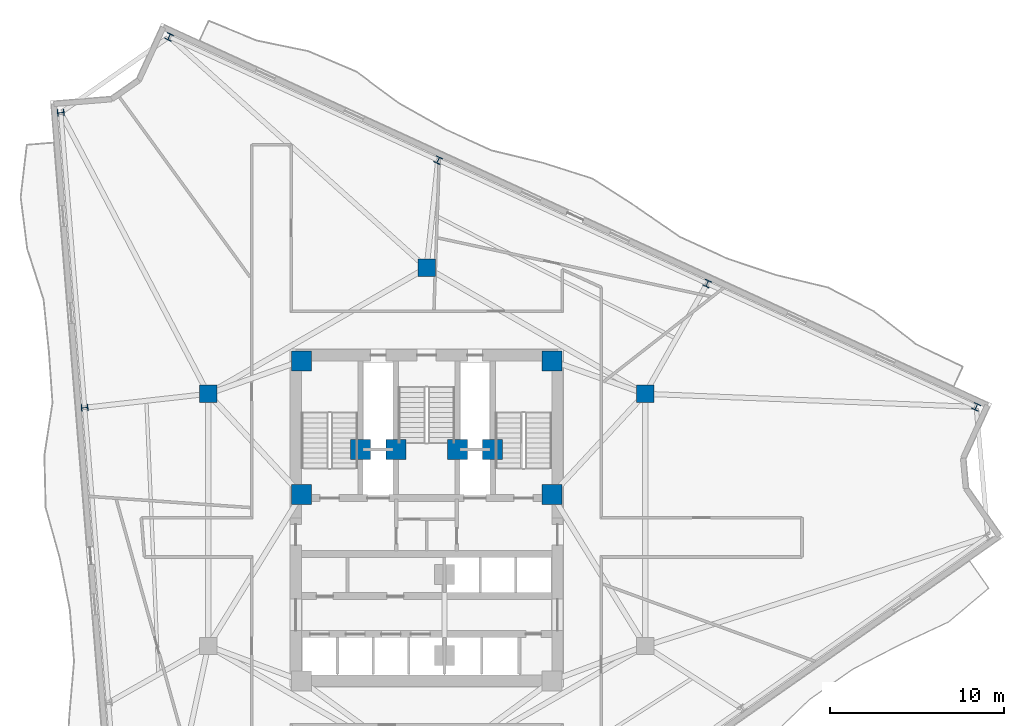
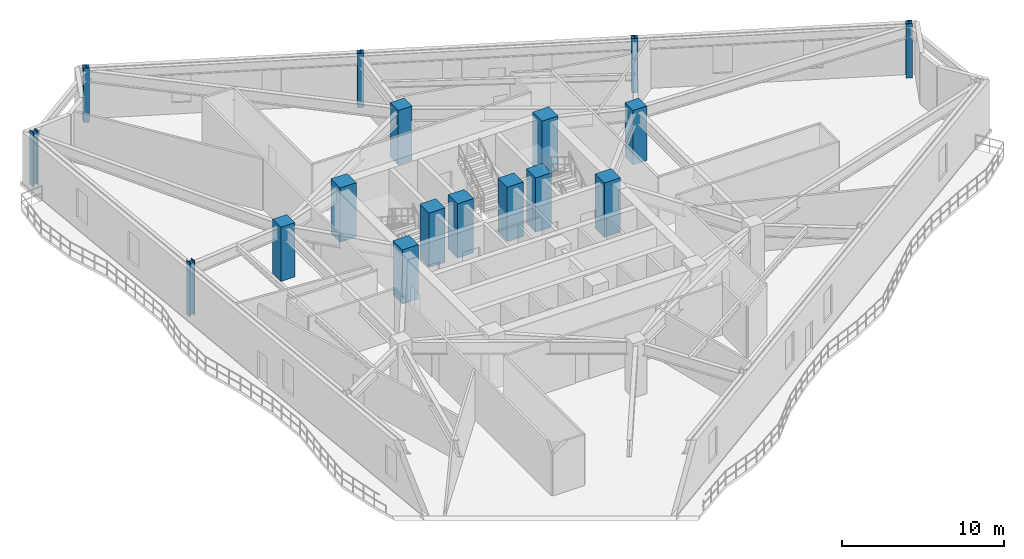
# One storey, part 2 of 11: 17 columns.
"""IFC4 building model written with IfcOpenShell, lengths in metres."""

from ifc_helpers import new_model, si_unit, direction, frame, origin, origin_2d, place, context, subcontext, project, spatial, rectangle, i_section, extrude, material, material_profile, profile_set, type_object, element, save


model = new_model("IFC4")

# Units and contexts
model_context = context("Model", 3, precision=1e-05, world=origin(), true_north=direction((0.0, 1.0)))
body_context = subcontext(model_context, "Body", "Model", "MODEL_VIEW")
ifc_project = project(units=[si_unit("LENGTHUNIT", "METRE"), si_unit("AREAUNIT", "SQUARE_METRE"), si_unit("VOLUMEUNIT", "CUBIC_METRE"), si_unit("PLANEANGLEUNIT", "RADIAN"), si_unit("MASSUNIT", "GRAM", prefix="KILO")], contexts=[model_context])

# Site, building, storey
site_placement = place(None, origin())
site = spatial("IfcSite", under=ifc_project, at=site_placement, CompositionType="ELEMENT")
building_placement = place(site_placement, origin())
building = spatial("IfcBuilding", under=site, at=building_placement, Name="Apsidion Concourse Tower", CompositionType="ELEMENT")
storey_placement = place(building_placement, frame((0.0, 0.0, 206.5)))
storey = spatial("IfcBuildingStorey", under=building, at=storey_placement, Name="L48", CompositionType="ELEMENT", Elevation=206.5)

# Columns
ifc_material_1 = material(Name="Concrete C50/60", Category="concrete")
ifc_material_profile_1 = material_profile(ifc_material_1, rectangle(XDim=1.0, YDim=1.0, at=origin_2d()), Name="RC 1000x1000")
ifc_profile_set_1 = profile_set([ifc_material_profile_1], Name="Concrete C50/60")
column_type_1 = type_object("IfcColumnType", Name="COL-RC-1000", PredefinedType="COLUMN", material=ifc_profile_set_1)
for number, where, z_axis, x_axis, name in (
    (1, (12.56005859375, 7.25, 0.0), (0.0, 0.0, 1.0), (1.0, 0.0, 0.0), "L48 Interior Spine Column IC3"),
    (2, (0.0, 14.5, 0.0), (0.0, 0.0, 1.0), (1.0, 0.0, 0.0), "L48 Interior Spine Column IC4"),
    (3, (-12.56005859375, 7.25, 0.0), (0.0, 0.0, 1.0), (1.0, 0.0, 0.0), "L48 Interior Spine Column IC5"),
):
    element("IfcColumn", number, at=place(storey_placement, frame(where, z_axis=z_axis, x_axis=x_axis)), inside=storey, type_object=column_type_1, Name=name, PredefinedType="COLUMN", context=body_context, shape_type="SweptSolid", body=[
        extrude(rectangle(XDim=1.0, YDim=1.0, at=origin_2d()), origin(), (0.0, 0.0, 1.0), 4.10009765625),
    ])
ifc_material_profile_2 = material_profile(ifc_material_1, rectangle(XDim=1.14990234375, YDim=1.14990234375, at=origin_2d()), Name="RC 1150x1150")
ifc_profile_set_2 = profile_set([ifc_material_profile_2], Name="Concrete C50/60")
column_type_2 = type_object("IfcColumnType", Name="COL-RC-1150", PredefinedType="COLUMN", material=ifc_profile_set_2)
for number, where, z_axis, x_axis, name in (
    (4, (7.199951171875, 1.449951171875, 0.0), (0.0, 0.0, 1.0), (1.0, 0.0, 0.0), "L48 Core Super-Column SC3"),
    (5, (7.199951171875, 9.14990234375, 0.0), (0.0, 0.0, 1.0), (1.0, 0.0, 0.0), "L48 Core Super-Column SC4"),
    (6, (-7.199951171875, 9.14990234375, 0.0), (0.0, 0.0, 1.0), (1.0, 0.0, 0.0), "L48 Core Super-Column SC5"),
    (7, (-7.199951171875, 1.449951171875, 0.0), (0.0, 0.0, 1.0), (1.0, 0.0, 0.0), "L48 Core Super-Column SC6"),
    (8, (-3.800048828125, 4.050048828125, 0.0), (0.0, 0.0, 1.0), (1.0, 0.0, 0.0), "L48 Core Super-Column CC1"),
    (9, (3.800048828125, 4.050048828125, 0.0), (0.0, 0.0, 1.0), (1.0, 0.0, 0.0), "L48 Core Super-Column CC2"),
    (10, (-1.77490234375, 4.050048828125, 0.0), (0.0, 0.0, 1.0), (1.0, 0.0, 0.0), "L48 Core Super-Column CC3"),
    (11, (1.77490234375, 4.050048828125, 0.0), (0.0, 0.0, 1.0), (1.0, 0.0, 0.0), "L48 Core Super-Column CC4"),
):
    element("IfcColumn", number, at=place(storey_placement, frame(where, z_axis=z_axis, x_axis=x_axis)), inside=storey, type_object=column_type_2, Name=name, PredefinedType="COLUMN", context=body_context, shape_type="SweptSolid", body=[
        extrude(rectangle(XDim=1.14990234375, YDim=1.14990234375, at=origin_2d()), origin(), (0.0, 0.0, 1.0), 4.10009765625),
    ])
ifc_material_2 = material(Name="Structural steel ASTM A992 Grade 50", Category="steel")
ifc_material_profile_3 = material_profile(ifc_material_2, i_section(OverallWidth=0.39892578125, OverallDepth=0.385986328125, WebThickness=0.02099609375, FlangeThickness=0.033203125, at=origin_2d()), Name="W14X176")
ifc_profile_set_3 = profile_set([ifc_material_profile_3], Name="Structural steel ASTM A992 Grade 50")
column_type_3 = type_object("IfcColumnType", Name="COL-W14-176", PredefinedType="COLUMN", material=ifc_profile_set_3)
for number, where, z_axis, x_axis, name in (
    (12, (-21.03759765625, 23.412841796875, 0.0), (0.0, 0.0, 1.0), (-0.080720825512, 0.996736749763, 0.0), "L48 Rotated Perimeter Column PC01"),
    (13, (-19.66357421875, 6.451171875, 0.0), (0.0, 0.0, 1.0), (-0.080720825512, 0.996736749763, 0.0), "L48 Rotated Perimeter Column PC02"),
    (14, (31.600830078125, 6.499267578125, 0.0), (0.0, 0.0, 1.0), (-0.909018020308, 0.416756810089, 0.0), "L48 Rotated Perimeter Column PC09"),
    (15, (16.132080078125, 13.591796875, 0.0), (0.0, 0.0, 1.0), (-0.909018020308, 0.416756810089, 0.0), "L48 Rotated Perimeter Column PC10"),
    (16, (0.663330078125, 20.68408203125, 0.0), (0.0, 0.0, 1.0), (-0.909018020308, 0.416756810089, 0.0), "L48 Rotated Perimeter Column PC11"),
    (17, (-14.805419921875, 27.776611328125, 0.0), (0.0, 0.0, 1.0), (-0.909018020308, 0.416756810089, 0.0), "L48 Rotated Perimeter Column PC12"),
):
    element("IfcColumn", number, at=place(storey_placement, frame(where, z_axis=z_axis, x_axis=x_axis)), inside=storey, type_object=column_type_3, Name=name, PredefinedType="COLUMN", context=body_context, shape_type="SweptSolid", body=[
        extrude(i_section(OverallWidth=0.39892578125, OverallDepth=0.385986328125, WebThickness=0.02099609375, FlangeThickness=0.033203125, at=origin_2d()), origin(), (0.0, 0.0, 1.0), 4.10009765625),
    ])

save(model, "model.ifc")
